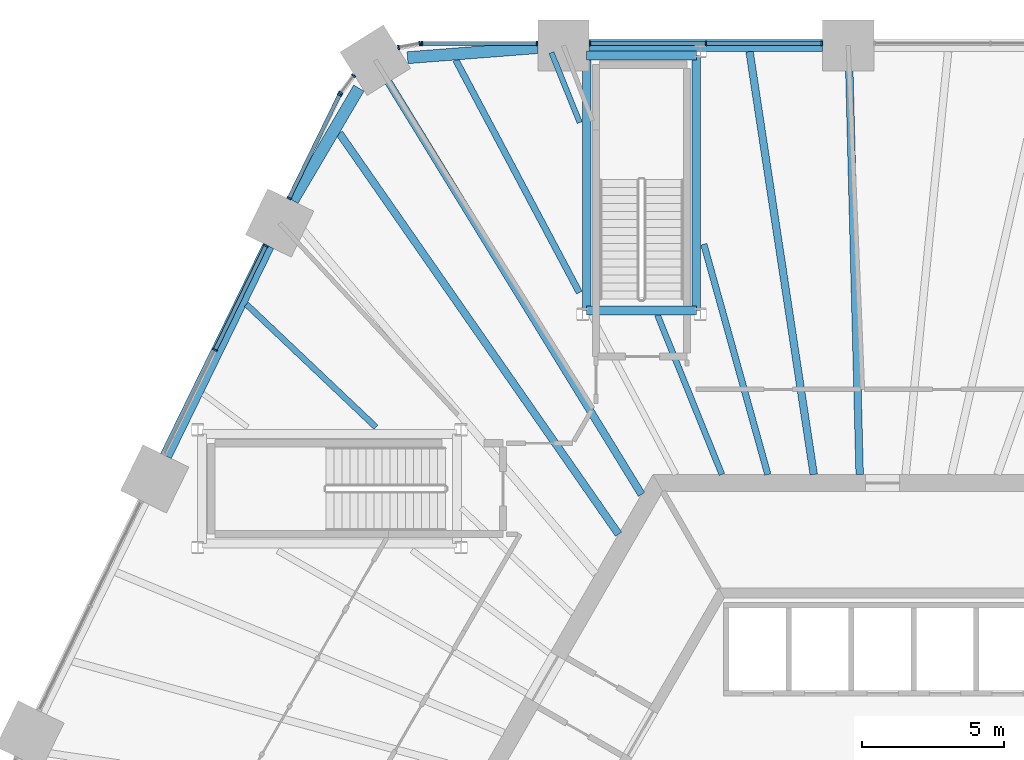
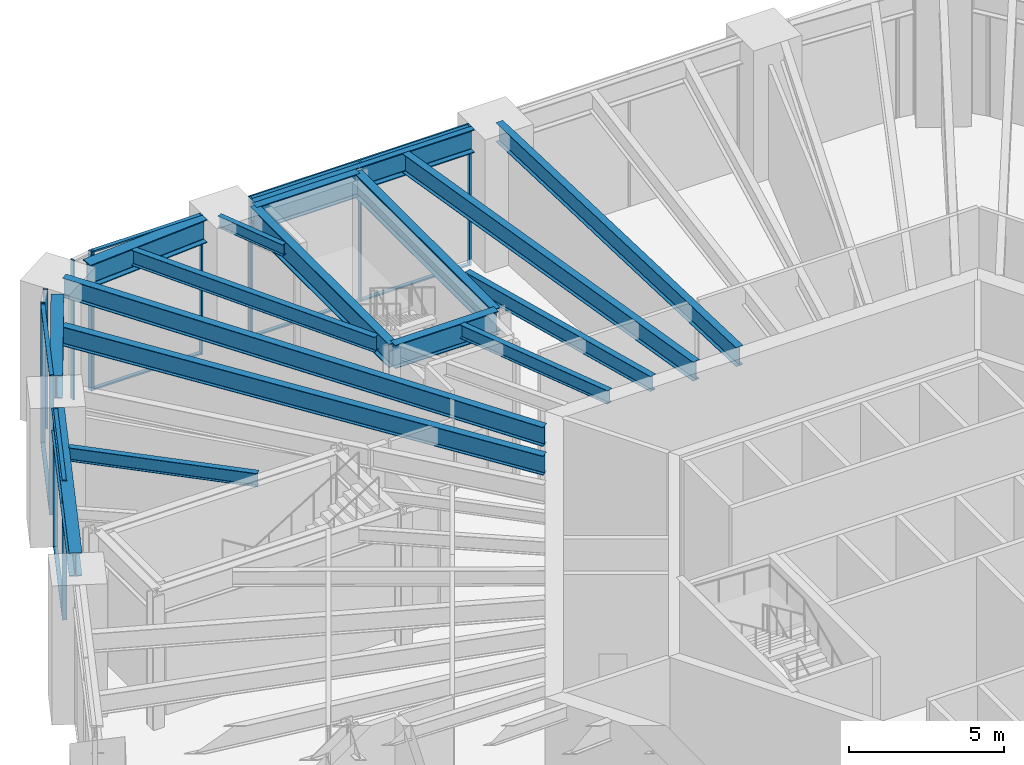
# One storey, part 8 of 30: 23 members, 17 beams, 6 elements without a shape of their own.
"""IFC4 building model written with IfcOpenShell, lengths in metres."""

from ifc_helpers import new_model, si_unit, direction, frame, origin, origin_2d, place, context, subcontext, project, spatial, rectangle, i_section, extrude, material, material_profile, profile_set, type_object, element, aggregate, save


model = new_model("IFC4")

# Units and contexts
model_context = context("Model", 3, precision=1e-05, world=origin(), true_north=direction((0.0, 1.0)))
body_context = subcontext(model_context, "Body", "Model", "MODEL_VIEW")
ifc_project = project(units=[si_unit("LENGTHUNIT", "METRE"), si_unit("AREAUNIT", "SQUARE_METRE"), si_unit("VOLUMEUNIT", "CUBIC_METRE"), si_unit("PLANEANGLEUNIT", "RADIAN"), si_unit("MASSUNIT", "GRAM", prefix="KILO")], contexts=[model_context])

# Site, building, storey
site_placement = place(None, origin())
site = spatial("IfcSite", under=ifc_project, at=site_placement, CompositionType="ELEMENT")
building_placement = place(site_placement, origin())
building = spatial("IfcBuilding", under=site, at=building_placement, Name="Tarnside Tower", CompositionType="ELEMENT")
storey_placement = place(building_placement, frame((0.0, 0.0, 15.0)))
storey = spatial("IfcBuildingStorey", under=building, at=storey_placement, Name="L02", CompositionType="ELEMENT", Elevation=15.0)

# Beams
ifc_material_1 = material(Name="Steel S355", Category="steel")
ifc_material_profile_1 = material_profile(ifc_material_1, i_section(OverallWidth=0.18994140625, OverallDepth=0.453369140625, WebThickness=0.008544921875, FlangeThickness=0.0126953125, FilletRadius=0.01025390625, at=origin_2d()), Name="UB 457x191x67")
ifc_profile_set_1 = profile_set([ifc_material_profile_1], Name="Steel S355")
beam_type_1 = type_object("IfcBeamType", Name="Floor beam UB 457x191x67", PredefinedType="BEAM", material=ifc_profile_set_1)
beam_1_placement = place(storey_placement, frame((-11.659912109375, 28.85595703125, 5.023193359375), z_axis=(0.374581275825, -0.927194083136, 0.0), x_axis=(0.927194083136, 0.374581275825, 0.0)))
element("IfcBeam", 1, at=beam_1_placement, inside=storey, type_object=beam_type_1, Name="Floor beam F1.08a", PredefinedType="BEAM", context=body_context, shape_type="SweptSolid", body=[
    extrude(i_section(OverallWidth=0.18994140625, OverallDepth=0.453369140625, WebThickness=0.008544921875, FlangeThickness=0.0126953125, FilletRadius=0.01025390625, at=origin_2d()), origin(), (0.0, 0.0, 1.0), 2.6630859375),
])
ifc_material_profile_2 = material_profile(ifc_material_1, i_section(OverallWidth=0.209228515625, OverallDepth=0.533203125, WebThickness=0.010009765625, FlangeThickness=0.015625, FilletRadius=0.0126953125, at=origin_2d()), Name="UB 533x210x92")
ifc_profile_set_2 = profile_set([ifc_material_profile_2], Name="Steel S355")
beam_type_2 = type_object("IfcBeamType", Name="Floor beam UB 533x210x92", PredefinedType="BEAM", material=ifc_profile_set_2)
beam_2_placement = place(storey_placement, frame((-7.929443359375, 19.622314453125, 4.9833984375), z_axis=(0.374595519169, -0.927188328776, 0.0), x_axis=(0.927188328776, 0.374595519169, 0.0)))
element("IfcBeam", 2, at=beam_2_placement, inside=storey, type_object=beam_type_2, Name="Floor beam F1.08b", PredefinedType="BEAM", context=body_context, shape_type="SweptSolid", body=[
    extrude(i_section(OverallWidth=0.209228515625, OverallDepth=0.533203125, WebThickness=0.010009765625, FlangeThickness=0.015625, FilletRadius=0.0126953125, at=origin_2d()), origin(), (0.0, 0.0, 1.0), 6.063720703125),
])
beam_3_placement = place(storey_placement, frame((-22.39404296875, 19.98779296875, 4.9833984375), z_axis=(0.725647269442, -0.688066886539, 0.0), x_axis=(0.688066886539, 0.725647269442, 0.0)))
element("IfcBeam", 3, at=beam_3_placement, inside=storey, type_object=beam_type_2, Name="Floor beam F2.03a", PredefinedType="BEAM", context=body_context, shape_type="SweptSolid", body=[
    extrude(i_section(OverallWidth=0.209228515625, OverallDepth=0.533203125, WebThickness=0.010009765625, FlangeThickness=0.015625, FilletRadius=0.0126953125, at=origin_2d()), origin(), (0.0, 0.0, 1.0), 6.2822265625),
])
ifc_material_profile_3 = material_profile(ifc_material_1, i_section(OverallWidth=0.2275390625, OverallDepth=0.6025390625, WebThickness=0.010498046875, FlangeThickness=0.014892578125, FilletRadius=0.0126953125, at=origin_2d()), Name="UB 610x229x101")
ifc_profile_set_3 = profile_set([ifc_material_profile_3], Name="Steel S355")
beam_type_3 = type_object("IfcBeamType", Name="Floor beam UB 610x229x101", PredefinedType="BEAM", material=ifc_profile_set_3)
beam_4_placement = place(storey_placement, frame((-6.294677734375, 22.1083984375, 4.94873046875), z_axis=(0.267736629204, -0.963492136648, 0.0), x_axis=(0.963492136648, 0.267736629204, 0.0)))
element("IfcBeam", 4, at=beam_4_placement, inside=storey, type_object=beam_type_3, Name="Floor beam F1.07", PredefinedType="BEAM", context=body_context, shape_type="SweptSolid", body=[
    extrude(i_section(OverallWidth=0.2275390625, OverallDepth=0.6025390625, WebThickness=0.010498046875, FlangeThickness=0.014892578125, FilletRadius=0.0126953125, at=origin_2d()), origin(), (0.0, 0.0, 1.0), 8.41552734375),
])
beam_5_placement = place(storey_placement, frame((-15.027587890625, 28.593505859375, 4.94873046875), z_axis=(0.469154584499, -0.883116060234, 0.0), x_axis=(0.883116060234, 0.469154584499, 0.0)))
element("IfcBeam", 5, at=beam_5_placement, inside=storey, type_object=beam_type_3, Name="Floor beam F1.09a", PredefinedType="BEAM", context=body_context, shape_type="SweptSolid", body=[
    extrude(i_section(OverallWidth=0.2275390625, OverallDepth=0.6025390625, WebThickness=0.010498046875, FlangeThickness=0.014892578125, FilletRadius=0.0126953125, at=origin_2d()), origin(), (0.0, 0.0, 1.0), 9.27587890625),
])
ifc_material_profile_4 = material_profile(ifc_material_1, i_section(OverallWidth=0.26513671875, OverallDepth=0.75390625, WebThickness=0.0126953125, FlangeThickness=0.017578125, FilletRadius=0.0166015625, at=origin_2d()), Name="UB 762x267x147")
ifc_profile_set_4 = profile_set([ifc_material_profile_4], Name="Steel S355")
beam_type_4 = type_object("IfcBeamType", Name="Floor beam UB 762x267x147", PredefinedType="BEAM", material=ifc_profile_set_4)
beam_6_placement = place(storey_placement, frame((-1.189697265625, 28.889892578125, 4.873046875), z_axis=(0.025602780317, -0.999672195092, 0.0), x_axis=(0.999672195092, 0.025602780317, 0.0)))
element("IfcBeam", 6, at=beam_6_placement, inside=storey, type_object=beam_type_4, Name="Floor beam F1.05", PredefinedType="BEAM", context=body_context, shape_type="SweptSolid", body=[
    extrude(i_section(OverallWidth=0.26513671875, OverallDepth=0.75390625, WebThickness=0.0126953125, FlangeThickness=0.017578125, FilletRadius=0.0166015625, at=origin_2d()), origin(), (0.0, 0.0, 1.0), 14.894775390625),
])
beam_7_placement = place(storey_placement, frame((-4.684326171875, 28.889892578125, 4.873046875), z_axis=(0.150031075445, -0.988681281506, 0.0), x_axis=(0.988681281506, 0.150031075445, 0.0)))
element("IfcBeam", 7, at=beam_7_placement, inside=storey, type_object=beam_type_4, Name="Floor beam F1.06", PredefinedType="BEAM", context=body_context, shape_type="SweptSolid", body=[
    extrude(i_section(OverallWidth=0.26513671875, OverallDepth=0.75390625, WebThickness=0.0126953125, FlangeThickness=0.017578125, FilletRadius=0.0166015625, at=origin_2d()), origin(), (0.0, 0.0, 1.0), 15.060302734375),
])
ifc_material_profile_5 = material_profile(ifc_material_1, i_section(OverallWidth=0.2666015625, OverallDepth=0.76220703125, WebThickness=0.014404296875, FlangeThickness=0.021484375, FilletRadius=0.0166015625, at=origin_2d()), Name="UB 762x267x173")
ifc_profile_set_5 = profile_set([ifc_material_profile_5], Name="Steel S355")
beam_type_5 = type_object("IfcBeamType", Name="Floor beam UB 762x267x173", PredefinedType="BEAM", material=ifc_profile_set_5)
beam_8_placement = place(storey_placement, frame((-17.7392578125, 28.375732421875, 4.868896484375), z_axis=(0.523065896899, -0.852292243014, 0.0), x_axis=(0.852292243014, 0.523065896899, 0.0)))
element("IfcBeam", 8, at=beam_8_placement, inside=storey, type_object=beam_type_5, Name="Floor beam C1", PredefinedType="BEAM", context=body_context, shape_type="SweptSolid", body=[
    extrude(i_section(OverallWidth=0.2666015625, OverallDepth=0.76220703125, WebThickness=0.014404296875, FlangeThickness=0.021484375, FilletRadius=0.0166015625, at=origin_2d()), origin(), (0.0, 0.0, 1.0), 17.6884765625),
])
beam_9_placement = place(storey_placement, frame((-19.12646484375, 26.0166015625, 4.868896484375), z_axis=(0.571485220827, -0.820612358167, 0.0), x_axis=(0.820612358167, 0.571485220827, 0.0)))
element("IfcBeam", 9, at=beam_9_placement, inside=storey, type_object=beam_type_5, Name="Floor beam F2.01", PredefinedType="BEAM", context=body_context, shape_type="SweptSolid", body=[
    extrude(i_section(OverallWidth=0.2666015625, OverallDepth=0.76220703125, WebThickness=0.014404296875, FlangeThickness=0.021484375, FilletRadius=0.0166015625, at=origin_2d()), origin(), (0.0, 0.0, 1.0), 17.20263671875),
])
ifc_material_profile_6 = material_profile(ifc_material_1, i_section(OverallWidth=0.3076171875, OverallDepth=0.926513671875, WebThickness=0.01953125, FlangeThickness=0.031982421875, FilletRadius=0.01904296875, at=origin_2d()), Name="UB 914x305x289")
ifc_profile_set_6 = profile_set([ifc_material_profile_6], Name="Steel S355")
beam_type_6 = type_object("IfcBeamType", Name="Perimeter girder UB 914x305x289", PredefinedType="BEAM", material=ifc_profile_set_6)
beam_10_placement = place(storey_placement, frame((-10.418701171875, 28.75390625, 4.78662109375), z_axis=(1.0, 0.0, 0.0), x_axis=(0.0, 1.0, 0.0)))
element("IfcBeam", 10, at=beam_10_placement, inside=storey, type_object=beam_type_6, Name="Perimeter girder T1", PredefinedType="BEAM", context=body_context, shape_type="SweptSolid", body=[
    extrude(i_section(OverallWidth=0.3076171875, OverallDepth=0.926513671875, WebThickness=0.01953125, FlangeThickness=0.031982421875, FilletRadius=0.01904296875, at=origin_2d()), origin(), (0.0, 0.0, 1.0), 3.85791015625),
])
beam_11_placement = place(storey_placement, frame((-6.560791015625, 28.75390625, 4.78662109375), z_axis=(0.0, -1.0, 0.0), x_axis=(1.0, 0.0, 0.0)))
element("IfcBeam", 11, at=beam_11_placement, inside=storey, type_object=beam_type_6, Name="Perimeter girder T2", PredefinedType="BEAM", context=body_context, shape_type="SweptSolid", body=[
    extrude(i_section(OverallWidth=0.3076171875, OverallDepth=0.926513671875, WebThickness=0.01953125, FlangeThickness=0.031982421875, FilletRadius=0.01904296875, at=origin_2d()), origin(), (0.0, 0.0, 1.0), 8.977783203125),
])
beam_12_placement = place(storey_placement, frame((-6.560791015625, 19.776123046875, 4.78662109375), z_axis=(-1.0, 0.0, 0.0), x_axis=(0.0, -1.0, 0.0)))
element("IfcBeam", 12, at=beam_12_placement, inside=storey, type_object=beam_type_6, Name="Perimeter girder T3", PredefinedType="BEAM", context=body_context, shape_type="SweptSolid", body=[
    extrude(i_section(OverallWidth=0.3076171875, OverallDepth=0.926513671875, WebThickness=0.01953125, FlangeThickness=0.031982421875, FilletRadius=0.01904296875, at=origin_2d()), origin(), (0.0, 0.0, 1.0), 3.85791015625),
])
beam_13_placement = place(storey_placement, frame((-10.418701171875, 19.776123046875, 4.78662109375), z_axis=(0.0, 1.0, 0.0), x_axis=(-1.0, 0.0, 0.0)))
element("IfcBeam", 13, at=beam_13_placement, inside=storey, type_object=beam_type_6, Name="Perimeter girder T4", PredefinedType="BEAM", context=body_context, shape_type="SweptSolid", body=[
    extrude(i_section(OverallWidth=0.3076171875, OverallDepth=0.926513671875, WebThickness=0.01953125, FlangeThickness=0.031982421875, FilletRadius=0.01904296875, at=origin_2d()), origin(), (0.0, 0.0, 1.0), 8.977783203125),
])
ifc_material_2 = material(Name="Steel S460", Category="steel")
ifc_material_profile_7 = material_profile(ifc_material_2, i_section(OverallWidth=0.42041015625, OverallDepth=0.9208984375, WebThickness=0.021484375, FlangeThickness=0.03662109375, FilletRadius=0.024169921875, at=origin_2d()), Name="UB 914x419x388")
ifc_profile_set_7 = profile_set([ifc_material_profile_7], Name="Steel S460")
beam_type_7 = type_object("IfcBeamType", Name="Perimeter girder UB 914x419x388", PredefinedType="BEAM", material=ifc_profile_set_7)
beam_14_placement = place(storey_placement, frame((-2.111083984375, 29.10009765625, 4.78955078125), z_axis=(-1.0, 0.0, 0.0), x_axis=(0.0, -1.0, 0.0)))
element("IfcBeam", 14, at=beam_14_placement, inside=storey, type_object=beam_type_7, Name="Perimeter girder M02", PredefinedType="BEAM", context=body_context, shape_type="SweptSolid", body=[
    extrude(i_section(OverallWidth=0.42041015625, OverallDepth=0.9208984375, WebThickness=0.021484375, FlangeThickness=0.03662109375, FilletRadius=0.024169921875, at=origin_2d()), origin(), (0.0, 0.0, 1.0), 8.2236328125),
])
beam_15_placement = place(storey_placement, frame((-12.152099609375, 29.028564453125, 4.78955078125), z_axis=(-0.996975045489, -0.077722317728, 0.0), x_axis=(0.077722317728, -0.996975045489, 0.0)))
element("IfcBeam", 15, at=beam_15_placement, inside=storey, type_object=beam_type_7, Name="Perimeter girder M03", PredefinedType="BEAM", context=body_context, shape_type="SweptSolid", body=[
    extrude(i_section(OverallWidth=0.42041015625, OverallDepth=0.9208984375, WebThickness=0.021484375, FlangeThickness=0.03662109375, FilletRadius=0.024169921875, at=origin_2d()), origin(), (0.0, 0.0, 1.0), 4.586181640625),
])
beam_16_placement = place(storey_placement, frame((-18.438720703125, 27.600830078125, 4.78955078125), z_axis=(-0.506929396531, -0.861987579338, 0.0), x_axis=(0.861987579338, -0.506929396531, 0.0)))
element("IfcBeam", 16, at=beam_16_placement, inside=storey, type_object=beam_type_7, Name="Perimeter girder M04", PredefinedType="BEAM", context=body_context, shape_type="SweptSolid", body=[
    extrude(i_section(OverallWidth=0.42041015625, OverallDepth=0.9208984375, WebThickness=0.021484375, FlangeThickness=0.03662109375, FilletRadius=0.024169921875, at=origin_2d()), origin(), (0.0, 0.0, 1.0), 4.58642578125),
])
beam_17_placement = place(storey_placement, frame((-21.62451171875, 22.04541015625, 4.78955078125), z_axis=(-0.438368649743, -0.898795264186, 0.0), x_axis=(0.898795264186, -0.438368649743, 0.0)))
element("IfcBeam", 17, at=beam_17_placement, inside=storey, type_object=beam_type_7, Name="Perimeter girder M05", PredefinedType="BEAM", context=body_context, shape_type="SweptSolid", body=[
    extrude(i_section(OverallWidth=0.42041015625, OverallDepth=0.9208984375, WebThickness=0.021484375, FlangeThickness=0.03662109375, FilletRadius=0.024169921875, at=origin_2d()), origin(), (0.0, 0.0, 1.0), 8.2236328125),
])

# Curtain wall, members
ifc_material_3 = material(Name="Retail shopfront glazing wall", Category="glass")
curtain_wall_type = type_object("IfcCurtainWallType", Name="Retail shopfront glazing wall", PredefinedType="NOTDEFINED", material=ifc_material_3)
curtain_wall_1_placement = place(storey_placement, origin())
curtain_wall_1 = element("IfcCurtainWall", 18, at=curtain_wall_1_placement, inside=storey, type_object=curtain_wall_type, Name="Retail shopfront glazing L02 01.0", PredefinedType="NOTDEFINED")
ifc_material_4 = material(Name="Aluminium alloy 6063", Category="aluminium")
ifc_material_profile_8 = material_profile(ifc_material_4, rectangle(XDim=0.159912109375, YDim=0.06005859375, at=origin_2d()), Name="Retail shopfront glazing mullion 60 x 160")
ifc_profile_set_8 = profile_set([ifc_material_profile_8], Name="Aluminium alloy 6063")
member_type_1 = type_object("IfcMemberType", Name="Retail shopfront glazing mullion 60 x 160", PredefinedType="MULLION", material=ifc_profile_set_8)
member_1_placement = place(storey_placement, frame((-2.14111328125, 29.179931640625, -0.25), z_axis=(0.0, 0.0, 1.0), x_axis=(0.0, -1.0, 0.0)))
member_1 = element("IfcMember", 19, at=member_1_placement, type_object=member_type_1, Name="CW2 mullion 1", PredefinedType="MULLION", context=body_context, shape_type="SweptSolid", body=[
    extrude(rectangle(XDim=0.159912109375, YDim=0.06005859375, at=origin_2d()), origin(), (0.0, 0.0, 1.0), 5.5),
])
member_2_placement = place(storey_placement, frame((-6.222900390625, 29.179931640625, -0.25), z_axis=(0.0, 0.0, 1.0), x_axis=(0.0, -1.0, 0.0)))
member_2 = element("IfcMember", 20, at=member_2_placement, type_object=member_type_1, Name="CW2 mullion 2", PredefinedType="MULLION", context=body_context, shape_type="SweptSolid", body=[
    extrude(rectangle(XDim=0.159912109375, YDim=0.06005859375, at=origin_2d()), origin(), (0.0, 0.0, 1.0), 5.5),
])
member_3_placement = place(storey_placement, frame((-10.3046875, 29.179931640625, -0.25), z_axis=(0.0, 0.0, 1.0), x_axis=(0.0, -1.0, 0.0)))
member_3 = element("IfcMember", 21, at=member_3_placement, type_object=member_type_1, Name="CW2 mullion 3", PredefinedType="MULLION", context=body_context, shape_type="SweptSolid", body=[
    extrude(rectangle(XDim=0.159912109375, YDim=0.06005859375, at=origin_2d()), origin(), (0.0, 0.0, 1.0), 5.5),
])

curtain_wall_2_placement = place(storey_placement, origin())
curtain_wall_2 = element("IfcCurtainWall", 22, at=curtain_wall_2_placement, inside=storey, type_object=curtain_wall_type, Name="Retail shopfront glazing L02 02.0", PredefinedType="NOTDEFINED")
member_4_placement = place(storey_placement, frame((-12.164794921875, 29.179931640625, -0.25), z_axis=(0.0, 0.0, 1.0), x_axis=(0.0, -1.0, 0.0)))
member_4 = element("IfcMember", 23, at=member_4_placement, type_object=member_type_1, Name="CW2 mullion 1", PredefinedType="MULLION", context=body_context, shape_type="SweptSolid", body=[
    extrude(rectangle(XDim=0.159912109375, YDim=0.06005859375, at=origin_2d()), origin(), (0.0, 0.0, 1.0), 5.5),
])
member_5_placement = place(storey_placement, frame((-16.216552734375, 29.179931640625, -0.25), z_axis=(0.0, 0.0, 1.0), x_axis=(0.0, -1.0, 0.0)))
member_5 = element("IfcMember", 24, at=member_5_placement, type_object=member_type_1, Name="CW2 mullion 2", PredefinedType="MULLION", context=body_context, shape_type="SweptSolid", body=[
    extrude(rectangle(XDim=0.159912109375, YDim=0.06005859375, at=origin_2d()), origin(), (0.0, 0.0, 1.0), 5.5),
])

curtain_wall_3_placement = place(storey_placement, origin())
curtain_wall_3 = element("IfcCurtainWall", 25, at=curtain_wall_3_placement, inside=storey, type_object=curtain_wall_type, Name="Retail shopfront glazing L02 02.1", PredefinedType="NOTDEFINED")
member_6_placement = place(storey_placement, frame((-16.290771484375, 29.173095703125, -0.25), z_axis=(0.0, 0.0, 1.0), x_axis=(0.185094923925, -0.982720646541, 0.0)))
member_6 = element("IfcMember", 26, at=member_6_placement, type_object=member_type_1, Name="CW2 mullion 1", PredefinedType="MULLION", context=body_context, shape_type="SweptSolid", body=[
    extrude(rectangle(XDim=0.159912109375, YDim=0.06005859375, at=origin_2d()), origin(), (0.0, 0.0, 1.0), 5.5),
])
member_7_placement = place(storey_placement, frame((-17.0390625, 29.0322265625, -0.25), z_axis=(0.0, 0.0, 1.0), x_axis=(0.185094923925, -0.982720646541, 0.0)))
member_7 = element("IfcMember", 27, at=member_7_placement, type_object=member_type_1, Name="CW2 mullion 2", PredefinedType="MULLION", context=body_context, shape_type="SweptSolid", body=[
    extrude(rectangle(XDim=0.159912109375, YDim=0.06005859375, at=origin_2d()), origin(), (0.0, 0.0, 1.0), 5.5),
])
aggregate(curtain_wall_3, [member_6, member_7])

curtain_wall_4_placement = place(storey_placement, origin())
curtain_wall_4 = element("IfcCurtainWall", 28, at=curtain_wall_4_placement, inside=storey, type_object=curtain_wall_type, Name="Retail shopfront glazing L02 03.0", PredefinedType="NOTDEFINED")
member_8_placement = place(storey_placement, frame((-18.62451171875, 28.04150390625, -0.25), z_axis=(0.0, 0.0, 1.0), x_axis=(0.802123192845, -0.597158591581, 0.0)))
member_8 = element("IfcMember", 29, at=member_8_placement, type_object=member_type_1, Name="CW2 mullion 1", PredefinedType="MULLION", context=body_context, shape_type="SweptSolid", body=[
    extrude(rectangle(XDim=0.159912109375, YDim=0.06005859375, at=origin_2d()), origin(), (0.0, 0.0, 1.0), 5.5),
])
member_9_placement = place(storey_placement, frame((-19.0791015625, 27.430908203125, -0.25), z_axis=(0.0, 0.0, 1.0), x_axis=(0.802123192845, -0.597158591581, 0.0)))
member_9 = element("IfcMember", 30, at=member_9_placement, type_object=member_type_1, Name="CW2 mullion 2", PredefinedType="MULLION", context=body_context, shape_type="SweptSolid", body=[
    extrude(rectangle(XDim=0.159912109375, YDim=0.06005859375, at=origin_2d()), origin(), (0.0, 0.0, 1.0), 5.5),
])
aggregate(curtain_wall_4, [member_8, member_9])

curtain_wall_5_placement = place(storey_placement, origin())
curtain_wall_5 = element("IfcCurtainWall", 31, at=curtain_wall_5_placement, inside=storey, type_object=curtain_wall_type, Name="Retail shopfront glazing L02 03.1", PredefinedType="NOTDEFINED")
member_10_placement = place(storey_placement, frame((-19.117919921875, 27.366943359375, -0.25), z_axis=(0.0, 0.0, 1.0), x_axis=(0.898794046314, -0.438371146758, 0.0)))
member_10 = element("IfcMember", 32, at=member_10_placement, type_object=member_type_1, Name="CW2 mullion 1", PredefinedType="MULLION", context=body_context, shape_type="SweptSolid", body=[
    extrude(rectangle(XDim=0.159912109375, YDim=0.06005859375, at=origin_2d()), origin(), (0.0, 0.0, 1.0), 5.5),
])
member_11_placement = place(storey_placement, frame((-20.89404296875, 23.725341796875, -0.25), z_axis=(0.0, 0.0, 1.0), x_axis=(0.898794046314, -0.438371146758, 0.0)))
member_11 = element("IfcMember", 33, at=member_11_placement, type_object=member_type_1, Name="CW2 mullion 2", PredefinedType="MULLION", context=body_context, shape_type="SweptSolid", body=[
    extrude(rectangle(XDim=0.159912109375, YDim=0.06005859375, at=origin_2d()), origin(), (0.0, 0.0, 1.0), 5.5),
])

curtain_wall_6_placement = place(storey_placement, origin())
curtain_wall_6 = element("IfcCurtainWall", 34, at=curtain_wall_6_placement, inside=storey, type_object=curtain_wall_type, Name="Retail shopfront glazing L02 04.0", PredefinedType="NOTDEFINED")
member_12_placement = place(storey_placement, frame((-21.70947265625, 22.053466796875, -0.25), z_axis=(0.0, 0.0, 1.0), x_axis=(0.898794046292, -0.438371146805, 0.0)))
member_12 = element("IfcMember", 35, at=member_12_placement, type_object=member_type_1, Name="CW2 mullion 1", PredefinedType="MULLION", context=body_context, shape_type="SweptSolid", body=[
    extrude(rectangle(XDim=0.159912109375, YDim=0.06005859375, at=origin_2d()), origin(), (0.0, 0.0, 1.0), 5.5),
])
member_13_placement = place(storey_placement, frame((-23.498779296875, 18.384765625, -0.25), z_axis=(0.0, 0.0, 1.0), x_axis=(0.898794046292, -0.438371146805, 0.0)))
member_13 = element("IfcMember", 36, at=member_13_placement, type_object=member_type_1, Name="CW2 mullion 2", PredefinedType="MULLION", context=body_context, shape_type="SweptSolid", body=[
    extrude(rectangle(XDim=0.159912109375, YDim=0.06005859375, at=origin_2d()), origin(), (0.0, 0.0, 1.0), 5.5),
])

# Member
ifc_material_profile_9 = material_profile(ifc_material_4, rectangle(XDim=0.139892578125, YDim=0.06005859375, at=origin_2d()), Name="Retail shopfront glazing transom 60 x 140")
ifc_profile_set_9 = profile_set([ifc_material_profile_9], Name="Aluminium alloy 6063")
member_type_2 = type_object("IfcMemberType", Name="Retail shopfront glazing transom 60 x 140", PredefinedType="USERDEFINED", material=ifc_profile_set_9)
member_14_placement = place(storey_placement, frame((-2.171142578125, 29.179931640625, -0.219970703125), z_axis=(-1.0, 0.0, 0.0), x_axis=(0.0, -1.0, 0.0)))
member_14 = element("IfcMember", 37, at=member_14_placement, type_object=member_type_2, Name="CW2 transom 1.1", ObjectType="TRANSOM", PredefinedType="USERDEFINED", context=body_context, shape_type="SweptSolid", body=[
    extrude(rectangle(XDim=0.139892578125, YDim=0.06005859375, at=origin_2d()), origin(), (0.0, 0.0, 1.0), 4.021728515625),
])

member_15_placement = place(storey_placement, frame((-2.171142578125, 29.179931640625, 5.219970703125), z_axis=(-1.0, 0.0, 0.0), x_axis=(0.0, -1.0, 0.0)))
member_15 = element("IfcMember", 38, at=member_15_placement, type_object=member_type_2, Name="CW2 transom 1.2", ObjectType="TRANSOM", PredefinedType="USERDEFINED", context=body_context, shape_type="SweptSolid", body=[
    extrude(rectangle(XDim=0.139892578125, YDim=0.06005859375, at=origin_2d()), origin(), (0.0, 0.0, 1.0), 4.021728515625),
])

member_16_placement = place(storey_placement, frame((-6.2529296875, 29.179931640625, -0.219970703125), z_axis=(-1.0, 0.0, 0.0), x_axis=(0.0, -1.0, 0.0)))
member_16 = element("IfcMember", 39, at=member_16_placement, type_object=member_type_2, Name="CW2 transom 2.1", ObjectType="TRANSOM", PredefinedType="USERDEFINED", context=body_context, shape_type="SweptSolid", body=[
    extrude(rectangle(XDim=0.139892578125, YDim=0.06005859375, at=origin_2d()), origin(), (0.0, 0.0, 1.0), 4.021728515625),
])

member_17_placement = place(storey_placement, frame((-6.2529296875, 29.179931640625, 5.219970703125), z_axis=(-1.0, 0.0, 0.0), x_axis=(0.0, -1.0, 0.0)))
member_17 = element("IfcMember", 40, at=member_17_placement, type_object=member_type_2, Name="CW2 transom 2.2", ObjectType="TRANSOM", PredefinedType="USERDEFINED", context=body_context, shape_type="SweptSolid", body=[
    extrude(rectangle(XDim=0.139892578125, YDim=0.06005859375, at=origin_2d()), origin(), (0.0, 0.0, 1.0), 4.021728515625),
])

aggregate(curtain_wall_1, [member_1, member_2, member_3, member_14, member_15, member_16, member_17])

member_18_placement = place(storey_placement, frame((-12.19482421875, 29.179931640625, -0.219970703125), z_axis=(-1.0, 0.0, 0.0), x_axis=(0.0, -1.0, 0.0)))
member_18 = element("IfcMember", 41, at=member_18_placement, type_object=member_type_2, Name="CW2 transom 1.1", ObjectType="TRANSOM", PredefinedType="USERDEFINED", context=body_context, shape_type="SweptSolid", body=[
    extrude(rectangle(XDim=0.139892578125, YDim=0.06005859375, at=origin_2d()), origin(), (0.0, 0.0, 1.0), 3.99169921875),
])

member_19_placement = place(storey_placement, frame((-12.19482421875, 29.179931640625, 5.219970703125), z_axis=(-1.0, 0.0, 0.0), x_axis=(0.0, -1.0, 0.0)))
member_19 = element("IfcMember", 42, at=member_19_placement, type_object=member_type_2, Name="CW2 transom 1.2", ObjectType="TRANSOM", PredefinedType="USERDEFINED", context=body_context, shape_type="SweptSolid", body=[
    extrude(rectangle(XDim=0.139892578125, YDim=0.06005859375, at=origin_2d()), origin(), (0.0, 0.0, 1.0), 3.99169921875),
])

aggregate(curtain_wall_2, [member_4, member_5, member_18, member_19])

member_20_placement = place(storey_placement, frame((-19.131103515625, 27.340087890625, -0.219970703125), z_axis=(-0.43833566611, -0.898811350516, 0.0), x_axis=(0.898811350516, -0.43833566611, 0.0)))
member_20 = element("IfcMember", 43, at=member_20_placement, type_object=member_type_2, Name="CW2 transom 1.1", ObjectType="TRANSOM", PredefinedType="USERDEFINED", context=body_context, shape_type="SweptSolid", body=[
    extrude(rectangle(XDim=0.139892578125, YDim=0.06005859375, at=origin_2d()), origin(), (0.0, 0.0, 1.0), 3.99169921875),
])

member_21_placement = place(storey_placement, frame((-19.131103515625, 27.340087890625, 5.219970703125), z_axis=(-0.43833566611, -0.898811350516, 0.0), x_axis=(0.898811350516, -0.43833566611, 0.0)))
member_21 = element("IfcMember", 44, at=member_21_placement, type_object=member_type_2, Name="CW2 transom 1.2", ObjectType="TRANSOM", PredefinedType="USERDEFINED", context=body_context, shape_type="SweptSolid", body=[
    extrude(rectangle(XDim=0.139892578125, YDim=0.06005859375, at=origin_2d()), origin(), (0.0, 0.0, 1.0), 3.99169921875),
])

aggregate(curtain_wall_5, [member_10, member_11, member_20, member_21])

member_22_placement = place(storey_placement, frame((-21.72265625, 22.026611328125, -0.219970703125), z_axis=(-0.438353065484, -0.898802864916, 0.0), x_axis=(0.898802864916, -0.438353065484, 0.0)))
member_22 = element("IfcMember", 45, at=member_22_placement, type_object=member_type_2, Name="CW2 transom 1.1", ObjectType="TRANSOM", PredefinedType="USERDEFINED", context=body_context, shape_type="SweptSolid", body=[
    extrude(rectangle(XDim=0.139892578125, YDim=0.06005859375, at=origin_2d()), origin(), (0.0, 0.0, 1.0), 4.021728515625),
])

member_23_placement = place(storey_placement, frame((-21.72265625, 22.026611328125, 5.219970703125), z_axis=(-0.438353065484, -0.898802864916, 0.0), x_axis=(0.898802864916, -0.438353065484, 0.0)))
member_23 = element("IfcMember", 46, at=member_23_placement, type_object=member_type_2, Name="CW2 transom 1.2", ObjectType="TRANSOM", PredefinedType="USERDEFINED", context=body_context, shape_type="SweptSolid", body=[
    extrude(rectangle(XDim=0.139892578125, YDim=0.06005859375, at=origin_2d()), origin(), (0.0, 0.0, 1.0), 4.021728515625),
])

aggregate(curtain_wall_6, [member_12, member_13, member_22, member_23])

save(model, "model.ifc")
